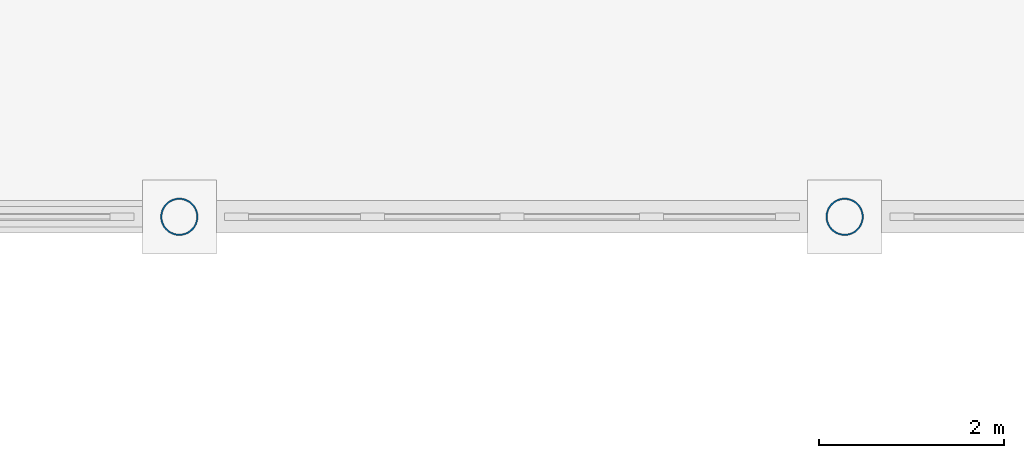
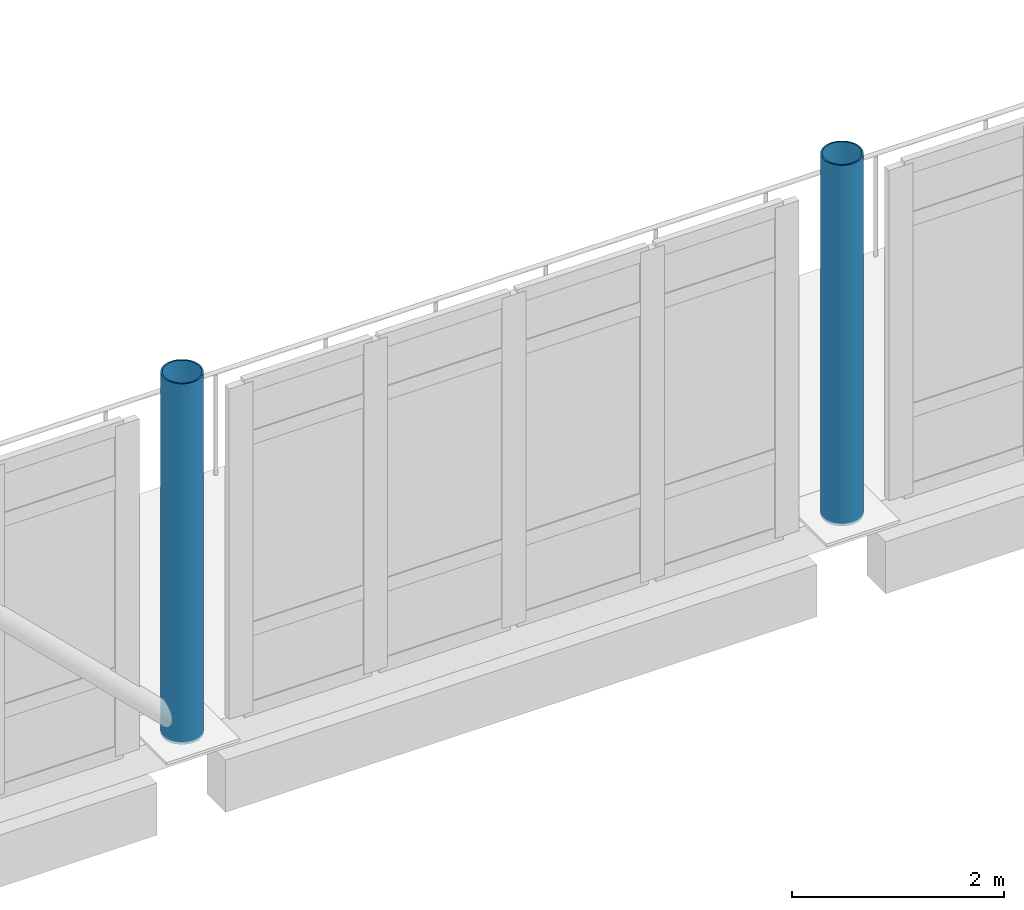
# One storey, part 2 of 62: 2 columns.
"""IFC4 building model written with IfcOpenShell, lengths in metres."""

from ifc_helpers import new_model, si_unit, direction, frame, origin, origin_2d, place, context, subcontext, project, spatial, hollow_circle, extrude, material, material_profile, profile_set, type_object, element, save


model = new_model("IFC4")

# Units and contexts
model_context = context("Model", 3, precision=1e-05, world=origin(), true_north=direction((0.0, 1.0)))
body_context = subcontext(model_context, "Body", "Model", "MODEL_VIEW")
ifc_project = project(units=[si_unit("LENGTHUNIT", "METRE"), si_unit("AREAUNIT", "SQUARE_METRE"), si_unit("VOLUMEUNIT", "CUBIC_METRE"), si_unit("PLANEANGLEUNIT", "RADIAN"), si_unit("MASSUNIT", "GRAM", prefix="KILO")], contexts=[model_context])

# Site, building, storey
site_placement = place(None, origin())
site = spatial("IfcSite", under=ifc_project, at=site_placement, CompositionType="ELEMENT")
building_placement = place(site_placement, origin())
building = spatial("IfcBuilding", under=site, at=building_placement, Name="Valkovuoma Quantum and Materials Research Institute", CompositionType="ELEMENT")
storey_placement = place(building_placement, frame((0.0, 0.0, 8.9599609375)))
storey = spatial("IfcBuildingStorey", under=building, at=storey_placement, Name="L02", CompositionType="ELEMENT", Elevation=8.9599609375)

# Columns
ifc_material = material(Name="Steel S355J2H", Category="steel")
ifc_material_profile = material_profile(ifc_material, hollow_circle(Radius=0.203125, WallThickness=0.01611328125, at=origin_2d()), Name="Steel S355J2H")
ifc_profile_set = profile_set([ifc_material_profile], Name="Steel S355J2H")
column_type = type_object("IfcColumnType", Name="Col-C-CHS406", PredefinedType="COLUMN", material=ifc_profile_set)
for number, where, z_axis, x_axis, name in (
    (1, (50.39990234375, 36.0, 0.0), (0.0, 0.0, 1.0), (1.0, 0.0, 0.0), "L02 column 08F"),
    (2, (57.60009765625, 36.0, 0.0), (0.0, 0.0, 1.0), (1.0, 0.0, 0.0), "L02 column 09F"),
):
    element("IfcColumn", number, at=place(storey_placement, frame(where, z_axis=z_axis, x_axis=x_axis)), inside=storey, type_object=column_type, Name=name, PredefinedType="COLUMN", context=body_context, shape_type="SweptSolid", body=[
        extrude(hollow_circle(Radius=0.203125, WallThickness=0.01611328125, at=origin_2d()), origin(), (0.0, 0.0, 1.0), 4.16015625),
    ])

save(model, "model.ifc")
